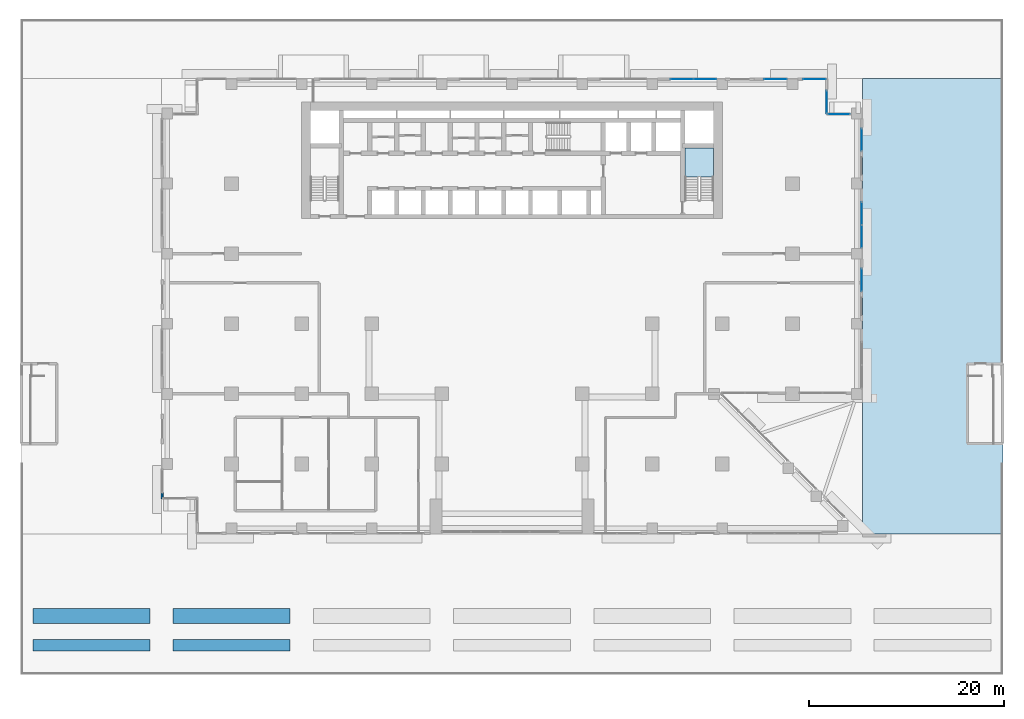
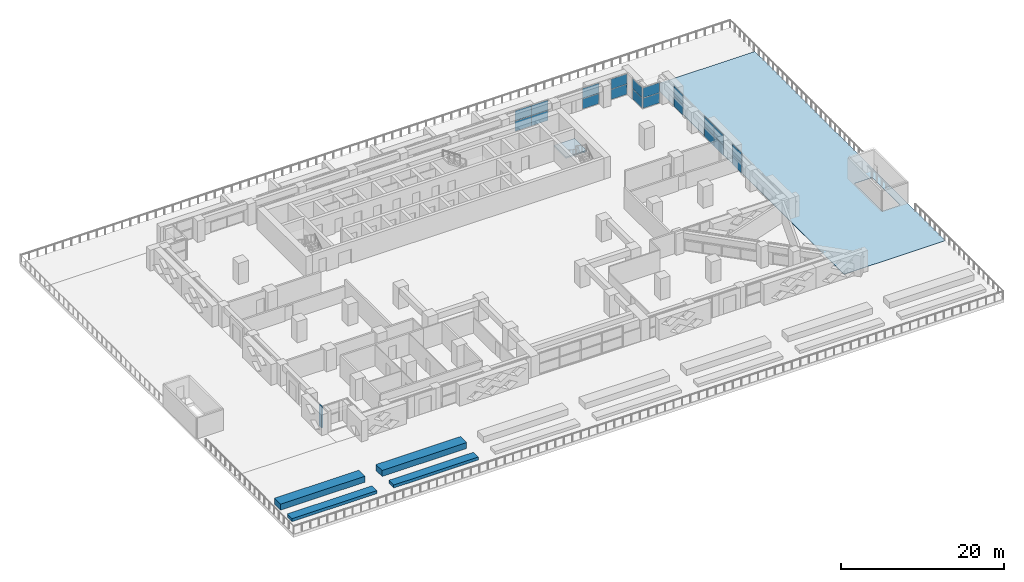
# One storey, part 12 of 24: 20 plates, 5 walls, 2 slabs, 9 elements without a shape of their own.
"""IFC4 building model written with IfcOpenShell, lengths in metres."""

from ifc_helpers import new_model, si_unit, direction, frame, frame_2d, origin, origin_2d, place, context, subcontext, project, spatial, polyline, rectangle, outline, extrude, source, transform, mapped, material, layer, layer_set, type_object, element, aggregate, save


model = new_model("IFC4")

# Units and contexts
model_context = context("Model", 3, precision=1e-05, world=origin(), true_north=direction((0.0, 1.0)))
body_context = subcontext(model_context, "Body", "Model", "MODEL_VIEW")
ifc_project = project(units=[si_unit("LENGTHUNIT", "METRE"), si_unit("AREAUNIT", "SQUARE_METRE"), si_unit("VOLUMEUNIT", "CUBIC_METRE"), si_unit("PLANEANGLEUNIT", "RADIAN"), si_unit("MASSUNIT", "GRAM", prefix="KILO")], contexts=[model_context])

# Site, building, storey
site_placement = place(None, origin())
site = spatial("IfcSite", under=ifc_project, at=site_placement, CompositionType="ELEMENT")
building_placement = place(site_placement, origin())
building = spatial("IfcBuilding", under=site, at=building_placement, Name="Saffron Iwan Residences", CompositionType="ELEMENT")
storey_placement = place(building_placement, frame((0.0, 0.0, 27.0)))
storey = spatial("IfcBuildingStorey", under=building, at=storey_placement, Name="L05", CompositionType="ELEMENT", Elevation=27.0)

# Stair, slab
ifc_material_1 = material(Name="Concrete C50/60", Category="concrete")
stair_type = type_object("IfcStairType", Name="Stair ST-CORE", PredefinedType="HALF_TURN_STAIR", material=ifc_material_1)
stair_placement = place(storey_placement, origin())
stair = element("IfcStair", 1, at=stair_placement, inside=storey, type_object=stair_type, Name="L05 Exit Stair ST-E", PredefinedType="HALF_TURN_STAIR")
ifc_layer_1 = layer(ifc_material_1, 0.199951171875)
ifc_layer_set_1 = layer_set([ifc_layer_1], Name="Concrete C50/60")
slab_type_1 = type_object("IfcSlabType", Name="Stair landing SL-RC", PredefinedType="LANDING", material=ifc_layer_set_1)
slab_1_placement = place(storey_placement, frame((0.0, 0.0, 1.5498046875)))
slab_1 = element("IfcSlab", 2, at=slab_1_placement, type_object=slab_type_1, Name="ST-E landing 1", PredefinedType="LANDING", context=body_context, shape_type="SweptSolid", body=[
    extrude(outline(polyline([(71.10009765625, 70.280029296875), (71.10009765625, 73.25), (68.14990234375, 73.25), (68.14990234375, 70.280029296875), (71.10009765625, 70.280029296875)])), origin(), (0.0, 0.0, 1.0), 0.2001953125),
])
aggregate(stair, [slab_1])

# Slab
ifc_material_2 = material(Name="Stone paving", Category="masonry")
ifc_layer_2 = layer(ifc_material_2, 0.050048828125)
ifc_layer_set_2 = layer_set([ifc_layer_2], Name="Stone paving")
slab_type_2 = type_object("IfcSlabType", Name="TERRACE PAVING 50", PredefinedType="USERDEFINED", material=ifc_layer_set_2)
slab_2_placement = place(storey_placement, origin())
element("IfcSlab", 3, at=slab_2_placement, inside=storey, type_object=slab_type_2, Name="Terrace paving L05 E4", ObjectType="PAVING", PredefinedType="USERDEFINED", context=body_context, shape_type="SweptSolid", body=[
    extrude(outline(polyline([(100.800048828125, 80.39990234375), (86.39990234375, 80.39990234375), (86.39990234375, 76.800048828125), (86.39990234375, 48.0), (86.39990234375, 33.60009765625), (100.800048828125, 33.60009765625), (100.800048828125, 80.39990234375)]), holes=[polyline([(99.800048828125, 49.799560546875), (97.25, 49.799560546875), (97.25, 43.0), (99.800048828125, 43.0), (99.800048828125, 49.799560546875)])]), origin(), (0.0, 0.0, 1.0), 0.050048828125),
])

# Curtain wall, plates
ifc_material_3 = material(Name="Clear glass, laminated double glazed", Category="glass")
ifc_layer_3 = layer(ifc_material_3, 0.14990234375)
ifc_layer_set_3 = layer_set([ifc_layer_3], Name="Clear glass, laminated double glazed")
curtain_wall_type = type_object("IfcCurtainWallType", Name="CW-D GARDEN FLOOR GLAZING", PredefinedType="NOTDEFINED", material=ifc_layer_set_3)
curtain_wall_1_placement = place(storey_placement, origin())
curtain_wall_1 = element("IfcCurtainWall", 4, at=curtain_wall_1_placement, inside=storey, type_object=curtain_wall_type, Name="Glazing L05 F2.1", PredefinedType="NOTDEFINED")
ifc_layer_4 = layer(ifc_material_3, 0.028076171875)
ifc_layer_set_4 = layer_set([ifc_layer_4], Name="Clear glass, laminated double glazed")
plate_type = type_object("IfcPlateType", Name="CW-D PANEL 28", PredefinedType="CURTAIN_PANEL", material=ifc_layer_set_4)
shared_shape_1 = source(origin(), body_context, "Body", "SweptSolid", [
    extrude(rectangle(XDim=2.280029296875, YDim=0.028076171875, at=origin_2d()), origin(), (0.0, 0.0, 1.0), 1.5),
])
plate_1_placement = place(storey_placement, frame((86.320068359375, 59.699951171875, 0.06005859375), z_axis=(0.0, 0.0, 1.0), x_axis=(0.0, 1.0, 0.0)))
plate_1 = element("IfcPlate", 5, at=plate_1_placement, type_object=plate_type, Name="CW-D panel 1.1", PredefinedType="CURTAIN_PANEL", context=body_context, shape_type="MappedRepresentation", body=[
    mapped(shared_shape_1, transform((0.0, 0.0, 0.0))),
])
plate_2_placement = place(storey_placement, frame((86.320068359375, 59.699951171875, 1.6201171875), z_axis=(0.0, 0.0, 1.0), x_axis=(0.0, 1.0, 0.0)))
plate_2 = element("IfcPlate", 6, at=plate_2_placement, type_object=plate_type, Name="CW-D panel 1.2", PredefinedType="CURTAIN_PANEL", context=body_context, shape_type="MappedRepresentation", body=[
    mapped(shared_shape_1, transform((0.0, 0.0, 0.0))),
])
aggregate(curtain_wall_1, [plate_1, plate_2])

curtain_wall_2_placement = place(storey_placement, origin())
curtain_wall_2 = element("IfcCurtainWall", 7, at=curtain_wall_2_placement, inside=storey, type_object=curtain_wall_type, Name="Glazing L05 F2.3", PredefinedType="NOTDEFINED")
plate_3_placement = place(storey_placement, frame((86.320068359375, 74.10009765625, 0.06005859375), z_axis=(0.0, 0.0, 1.0), x_axis=(0.0, 1.0, 0.0)))
plate_3 = element("IfcPlate", 8, at=plate_3_placement, type_object=plate_type, Name="CW-D panel 1.1", PredefinedType="CURTAIN_PANEL", context=body_context, shape_type="MappedRepresentation", body=[
    mapped(shared_shape_1, transform((0.0, 0.0, 0.0))),
])
plate_4_placement = place(storey_placement, frame((86.320068359375, 74.10009765625, 1.6201171875), z_axis=(0.0, 0.0, 1.0), x_axis=(0.0, 1.0, 0.0)))
plate_4 = element("IfcPlate", 9, at=plate_4_placement, type_object=plate_type, Name="CW-D panel 1.2", PredefinedType="CURTAIN_PANEL", context=body_context, shape_type="MappedRepresentation", body=[
    mapped(shared_shape_1, transform((0.0, 0.0, 0.0))),
])
aggregate(curtain_wall_2, [plate_3, plate_4])

curtain_wall_3_placement = place(storey_placement, origin())
curtain_wall_3 = element("IfcCurtainWall", 10, at=curtain_wall_3_placement, inside=storey, type_object=curtain_wall_type, Name="Glazing L05 F3.0", PredefinedType="NOTDEFINED")
plate_5_placement = place(storey_placement, frame((83.9599609375, 76.719970703125, 0.06005859375), z_axis=(0.0, 0.0, 1.0), x_axis=(-1.0, 0.0, 0.0)))
plate_5 = element("IfcPlate", 11, at=plate_5_placement, type_object=plate_type, Name="CW-D panel 1.1", PredefinedType="CURTAIN_PANEL", context=body_context, shape_type="MappedRepresentation", body=[
    mapped(shared_shape_1, transform((0.0, 0.0, 0.0))),
])
plate_6_placement = place(storey_placement, frame((83.9599609375, 76.719970703125, 1.6201171875), z_axis=(0.0, 0.0, 1.0), x_axis=(-1.0, 0.0, 0.0)))
plate_6 = element("IfcPlate", 12, at=plate_6_placement, type_object=plate_type, Name="CW-D panel 1.2", PredefinedType="CURTAIN_PANEL", context=body_context, shape_type="MappedRepresentation", body=[
    mapped(shared_shape_1, transform((0.0, 0.0, 0.0))),
])
aggregate(curtain_wall_3, [plate_5, plate_6])

curtain_wall_4_placement = place(storey_placement, origin())
curtain_wall_4 = element("IfcCurtainWall", 13, at=curtain_wall_4_placement, inside=storey, type_object=curtain_wall_type, Name="Glazing L05 F4.0", PredefinedType="NOTDEFINED")
plate_7_placement = place(storey_placement, frame((82.719970703125, 77.969970703125, 0.06005859375), z_axis=(0.0, 0.0, 1.0), x_axis=(0.0, 1.0, 0.0)))
plate_7 = element("IfcPlate", 14, at=plate_7_placement, type_object=plate_type, Name="CW-D panel 1.1", PredefinedType="CURTAIN_PANEL", context=body_context, shape_type="MappedRepresentation", body=[
    mapped(shared_shape_1, transform((0.0, 0.0, 0.0))),
])
plate_8_placement = place(storey_placement, frame((82.719970703125, 77.969970703125, 1.6201171875), z_axis=(0.0, 0.0, 1.0), x_axis=(0.0, 1.0, 0.0)))
plate_8 = element("IfcPlate", 15, at=plate_8_placement, type_object=plate_type, Name="CW-D panel 1.2", PredefinedType="CURTAIN_PANEL", context=body_context, shape_type="MappedRepresentation", body=[
    mapped(shared_shape_1, transform((0.0, 0.0, 0.0))),
])
aggregate(curtain_wall_4, [plate_7, plate_8])

curtain_wall_5_placement = place(storey_placement, origin())
curtain_wall_5 = element("IfcCurtainWall", 16, at=curtain_wall_5_placement, inside=storey, type_object=curtain_wall_type, Name="Glazing L05 F5.0", PredefinedType="NOTDEFINED")
plate_9_placement = place(storey_placement, frame((81.469970703125, 80.320068359375, 0.06005859375), z_axis=(0.0, 0.0, 1.0), x_axis=(-1.0, 0.0, 0.0)))
plate_9 = element("IfcPlate", 17, at=plate_9_placement, type_object=plate_type, Name="CW-D panel 1.1", PredefinedType="CURTAIN_PANEL", context=body_context, shape_type="MappedRepresentation", body=[
    mapped(shared_shape_1, transform((0.0, 0.0, 0.0))),
])
plate_10_placement = place(storey_placement, frame((81.469970703125, 80.320068359375, 1.6201171875), z_axis=(0.0, 0.0, 1.0), x_axis=(-1.0, 0.0, 0.0)))
plate_10 = element("IfcPlate", 18, at=plate_10_placement, type_object=plate_type, Name="CW-D panel 1.2", PredefinedType="CURTAIN_PANEL", context=body_context, shape_type="MappedRepresentation", body=[
    mapped(shared_shape_1, transform((0.0, 0.0, 0.0))),
])
aggregate(curtain_wall_5, [plate_9, plate_10])

curtain_wall_6_placement = place(storey_placement, origin())
curtain_wall_6 = element("IfcCurtainWall", 19, at=curtain_wall_6_placement, inside=storey, type_object=curtain_wall_type, Name="Glazing L05 F5.1", PredefinedType="NOTDEFINED")
plate_11_placement = place(storey_placement, frame((77.449951171875, 80.320068359375, 0.06005859375), z_axis=(0.0, 0.0, 1.0), x_axis=(-1.0, 0.0, 0.0)))
plate_11 = element("IfcPlate", 20, at=plate_11_placement, type_object=plate_type, Name="CW-D panel 1.1", PredefinedType="CURTAIN_PANEL", context=body_context, shape_type="MappedRepresentation", body=[
    mapped(shared_shape_1, transform((0.0, 0.0, 0.0))),
])
plate_12_placement = place(storey_placement, frame((77.449951171875, 80.320068359375, 1.6201171875), z_axis=(0.0, 0.0, 1.0), x_axis=(-1.0, 0.0, 0.0)))
plate_12 = element("IfcPlate", 21, at=plate_12_placement, type_object=plate_type, Name="CW-D panel 1.2", PredefinedType="CURTAIN_PANEL", context=body_context, shape_type="MappedRepresentation", body=[
    mapped(shared_shape_1, transform((0.0, 0.0, 0.0))),
])
aggregate(curtain_wall_6, [plate_11, plate_12])

curtain_wall_7_placement = place(storey_placement, origin())
curtain_wall_7 = element("IfcCurtainWall", 22, at=curtain_wall_7_placement, inside=storey, type_object=curtain_wall_type, Name="Glazing L05 F2.2", PredefinedType="NOTDEFINED")
shared_shape_2 = source(origin(), body_context, "Body", "SweptSolid", [
    extrude(rectangle(XDim=2.31005859375, YDim=0.028076171875, at=origin_2d()), origin(), (0.0, 0.0, 1.0), 1.5),
])
plate_13_placement = place(storey_placement, frame((86.320068359375, 64.1650390625, 0.06005859375), z_axis=(0.0, 0.0, 1.0), x_axis=(0.0, 1.0, 0.0)))
plate_13 = element("IfcPlate", 23, at=plate_13_placement, type_object=plate_type, Name="CW-D panel 1.1", PredefinedType="CURTAIN_PANEL", context=body_context, shape_type="MappedRepresentation", body=[
    mapped(shared_shape_2, transform((0.0, 0.0, 0.0))),
])
plate_14_placement = place(storey_placement, frame((86.320068359375, 64.1650390625, 1.6201171875), z_axis=(0.0, 0.0, 1.0), x_axis=(0.0, 1.0, 0.0)))
plate_14 = element("IfcPlate", 24, at=plate_14_placement, type_object=plate_type, Name="CW-D panel 1.2", PredefinedType="CURTAIN_PANEL", context=body_context, shape_type="MappedRepresentation", body=[
    mapped(shared_shape_2, transform((0.0, 0.0, 0.0))),
])
plate_15_placement = place(storey_placement, frame((86.320068359375, 66.534912109375, 0.06005859375), z_axis=(0.0, 0.0, 1.0), x_axis=(0.0, 1.0, 0.0)))
plate_15 = element("IfcPlate", 25, at=plate_15_placement, type_object=plate_type, Name="CW-D panel 2.1", PredefinedType="CURTAIN_PANEL", context=body_context, shape_type="MappedRepresentation", body=[
    mapped(shared_shape_2, transform((0.0, 0.0, 0.0))),
])
plate_16_placement = place(storey_placement, frame((86.320068359375, 66.534912109375, 1.6201171875), z_axis=(0.0, 0.0, 1.0), x_axis=(0.0, 1.0, 0.0)))
plate_16 = element("IfcPlate", 26, at=plate_16_placement, type_object=plate_type, Name="CW-D panel 2.2", PredefinedType="CURTAIN_PANEL", context=body_context, shape_type="MappedRepresentation", body=[
    mapped(shared_shape_2, transform((0.0, 0.0, 0.0))),
])
aggregate(curtain_wall_7, [plate_13, plate_14, plate_15, plate_16])

curtain_wall_8_placement = place(storey_placement, origin())
curtain_wall_8 = element("IfcCurtainWall", 27, at=curtain_wall_8_placement, inside=storey, type_object=curtain_wall_type, Name="Glazing L05 F5.2", PredefinedType="NOTDEFINED")
plate_17_placement = place(storey_placement, frame((70.235107421875, 80.320068359375, 0.06005859375), z_axis=(0.0, 0.0, 1.0), x_axis=(-1.0, 0.0, 0.0)))
plate_17 = element("IfcPlate", 28, at=plate_17_placement, type_object=plate_type, Name="CW-D panel 1.1", PredefinedType="CURTAIN_PANEL", context=body_context, shape_type="MappedRepresentation", body=[
    mapped(shared_shape_2, transform((0.0, 0.0, 0.0))),
])
plate_18_placement = place(storey_placement, frame((70.235107421875, 80.320068359375, 1.6201171875), z_axis=(0.0, 0.0, 1.0), x_axis=(-1.0, 0.0, 0.0)))
plate_18 = element("IfcPlate", 29, at=plate_18_placement, type_object=plate_type, Name="CW-D panel 1.2", PredefinedType="CURTAIN_PANEL", context=body_context, shape_type="MappedRepresentation", body=[
    mapped(shared_shape_2, transform((0.0, 0.0, 0.0))),
])
plate_19_placement = place(storey_placement, frame((67.864990234375, 80.320068359375, 0.06005859375), z_axis=(0.0, 0.0, 1.0), x_axis=(-1.0, 0.0, 0.0)))
plate_19 = element("IfcPlate", 30, at=plate_19_placement, type_object=plate_type, Name="CW-D panel 2.1", PredefinedType="CURTAIN_PANEL", context=body_context, shape_type="MappedRepresentation", body=[
    mapped(shared_shape_2, transform((0.0, 0.0, 0.0))),
])
plate_20_placement = place(storey_placement, frame((67.864990234375, 80.320068359375, 1.6201171875), z_axis=(0.0, 0.0, 1.0), x_axis=(-1.0, 0.0, 0.0)))
plate_20 = element("IfcPlate", 31, at=plate_20_placement, type_object=plate_type, Name="CW-D panel 2.2", PredefinedType="CURTAIN_PANEL", context=body_context, shape_type="MappedRepresentation", body=[
    mapped(shared_shape_2, transform((0.0, 0.0, 0.0))),
])
aggregate(curtain_wall_8, [plate_17, plate_18, plate_19, plate_20])

# Walls
ifc_material_4 = material(Name="Concrete C40/50", Category="concrete")
ifc_layer_5 = layer(ifc_material_4, 0.199951171875)
ifc_layer_set_5 = layer_set([ifc_layer_5], Name="Concrete C40/50")
wall_type_1 = type_object("IfcWallType", Name="EXTERNAL WALL 200", PredefinedType="SOLIDWALL", material=ifc_layer_set_5)
wall_placement = place(storey_placement, frame((14.47998046875, 37.85009765625, 0.0), z_axis=(0.0, 0.0, 1.0), x_axis=(0.0, -1.0, 0.0)))
element("IfcWall", 32, at=wall_placement, inside=storey, type_object=wall_type_1, Name="External wall infill CWD-L05-F8-6", PredefinedType="SOLIDWALL", context=body_context, shape_type="SweptSolid", body=[
    extrude(rectangle(XDim=0.6201171875, YDim=0.199951171875, at=frame_2d((0.31005859375, 0.0))), origin(), (0.0, 0.0, 1.0), 3.179931640625),
])
ifc_layer_6 = layer(ifc_material_4, 1.199951171875)
ifc_layer_set_6 = layer_set([ifc_layer_6], Name="Concrete C40/50")
wall_type_2 = type_object("IfcWallType", Name="Terrace planter wall 1200", PredefinedType="SOLIDWALL", material=ifc_layer_set_6)
for number, where, z_axis, x_axis, name in (
    (33, (1.199951171875, 22.199951171875, 0.050048828125), (0.0, 0.0, 1.0), (1.0, 0.0, 0.0), "PLANTER terrace L05 1"),
    (34, (15.60009765625, 22.199951171875, 0.050048828125), (0.0, 0.0, 1.0), (1.0, 0.0, 0.0), "PLANTER terrace L05 3"),
):
    element("IfcWall", number, at=place(storey_placement, frame(where, z_axis=z_axis, x_axis=x_axis)), inside=storey, type_object=wall_type_2, Name=name, PredefinedType="SOLIDWALL", context=body_context, shape_type="SweptSolid", body=[
        extrude(rectangle(XDim=12.0, YDim=1.199951171875, at=frame_2d((6.0, 0.0))), origin(), (0.0, 0.0, 1.0), 0.449951171875),
    ])
ifc_layer_7 = layer(ifc_material_4, 1.5)
ifc_layer_set_7 = layer_set([ifc_layer_7], Name="Concrete C40/50")
wall_type_3 = type_object("IfcWallType", Name="Terrace planter wall 1500", PredefinedType="SOLIDWALL", material=ifc_layer_set_7)
for number, where, z_axis, x_axis, name in (
    (35, (1.199951171875, 25.199951171875, 0.050048828125), (0.0, 0.0, 1.0), (1.0, 0.0, 0.0), "PLANTER terrace L05 2"),
    (36, (15.60009765625, 25.199951171875, 0.050048828125), (0.0, 0.0, 1.0), (1.0, 0.0, 0.0), "PLANTER terrace L05 4"),
):
    element("IfcWall", number, at=place(storey_placement, frame(where, z_axis=z_axis, x_axis=x_axis)), inside=storey, type_object=wall_type_3, Name=name, PredefinedType="SOLIDWALL", context=body_context, shape_type="SweptSolid", body=[
        extrude(rectangle(XDim=12.0, YDim=1.5, at=frame_2d((6.0, 0.0))), origin(), (0.0, 0.0, 1.0), 0.89990234375),
    ])

save(model, "model.ifc")
